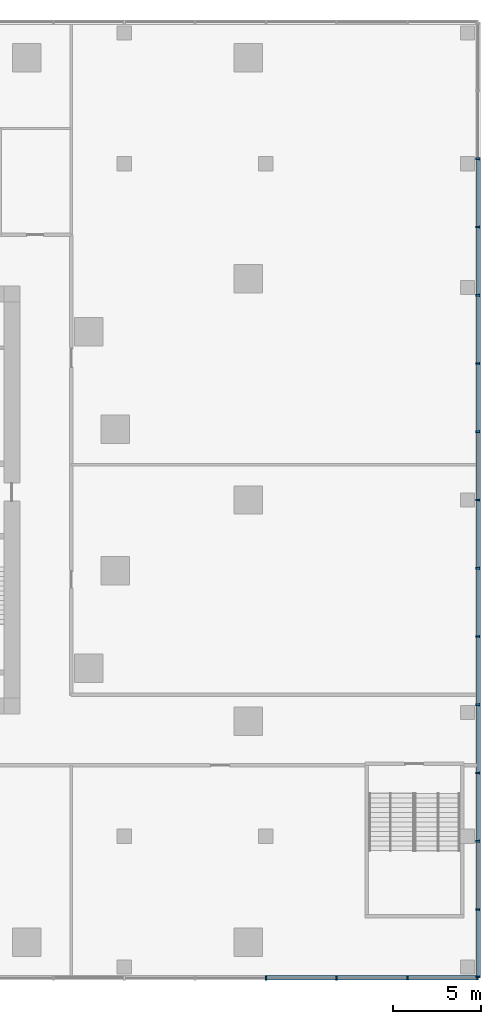
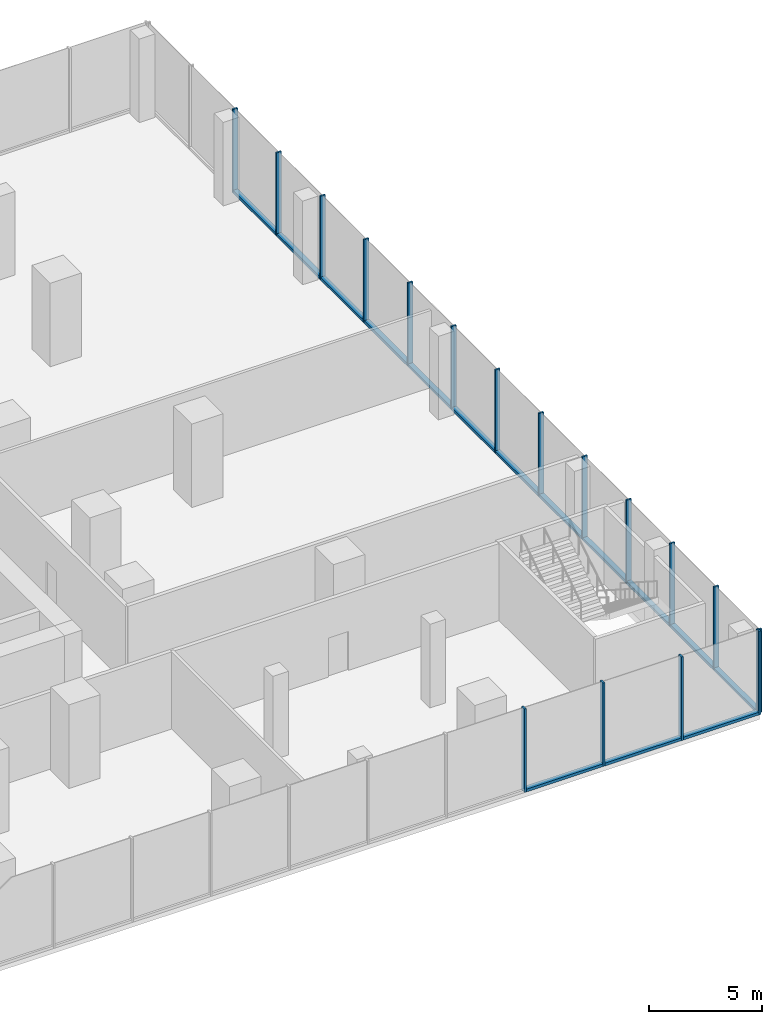
# One storey, part 6 of 15: 32 members, 2 elements without a shape of their own.
"""IFC4 building model written with IfcOpenShell, lengths in metres."""

from ifc_helpers import new_model, si_unit, direction, frame, origin, origin_2d, place, context, subcontext, project, spatial, rectangle, extrude, material, material_profile, profile_set, type_object, element, aggregate, save


model = new_model("IFC4")

# Units and contexts
model_context = context("Model", 3, precision=1e-05, world=origin(), true_north=direction((0.0, 1.0)))
body_context = subcontext(model_context, "Body", "Model", "MODEL_VIEW")
ifc_project = project(units=[si_unit("LENGTHUNIT", "METRE"), si_unit("AREAUNIT", "SQUARE_METRE"), si_unit("VOLUMEUNIT", "CUBIC_METRE"), si_unit("PLANEANGLEUNIT", "RADIAN"), si_unit("MASSUNIT", "GRAM", prefix="KILO")], contexts=[model_context])

# Site, building, storey
site_placement = place(None, origin())
site = spatial("IfcSite", under=ifc_project, at=site_placement, CompositionType="ELEMENT")
building_placement = place(site_placement, origin())
building = spatial("IfcBuilding", under=site, at=building_placement, Name="Torsade Residences", CompositionType="ELEMENT")
storey_placement = place(building_placement, frame((0.0, 0.0, 6.0)))
storey = spatial("IfcBuildingStorey", under=building, at=storey_placement, Name="L01", CompositionType="ELEMENT", Elevation=6.0)

# Curtain wall, members
ifc_material_1 = material(Name="Aluminium and glass", Category="aluminium")
curtain_wall_type = type_object("IfcCurtainWallType", Name="PODIUM CURTAIN WALL", PredefinedType="NOTDEFINED", material=ifc_material_1)
curtain_wall_1_placement = place(storey_placement, origin())
curtain_wall_1 = element("IfcCurtainWall", 1, at=curtain_wall_1_placement, inside=storey, type_object=curtain_wall_type, Name="Podium curtain wall L01 S", PredefinedType="NOTDEFINED")
ifc_material_2 = material(Name="Aluminium mullion", Category="aluminium")
ifc_material_profile_1 = material_profile(ifc_material_2, rectangle(XDim=0.25, YDim=0.090087890625, at=origin_2d()), Name="PODIUM CURTAIN WALL MULLION 250x90")
ifc_profile_set_1 = profile_set([ifc_material_profile_1], Name="Aluminium mullion")
member_type_1 = type_object("IfcMemberType", Name="PODIUM CURTAIN WALL MULLION 250x90", PredefinedType="MULLION", material=ifc_profile_set_1)
member_1_placement = place(storey_placement, frame((66.0, 3.0, 0.0), z_axis=(0.0, 0.0, 1.0), x_axis=(0.0, 1.0, 0.0)))
member_1 = element("IfcMember", 2, at=member_1_placement, type_object=member_type_1, Name="Mullion 17", PredefinedType="MULLION", context=body_context, shape_type="SweptSolid", body=[
    extrude(rectangle(XDim=0.25, YDim=0.090087890625, at=origin_2d()), origin(), (0.0, 0.0, 1.0), 4.5),
])
member_2_placement = place(storey_placement, frame((70.0, 3.0, 0.0), z_axis=(0.0, 0.0, 1.0), x_axis=(0.0, 1.0, 0.0)))
member_2 = element("IfcMember", 3, at=member_2_placement, type_object=member_type_1, Name="Mullion 18", PredefinedType="MULLION", context=body_context, shape_type="SweptSolid", body=[
    extrude(rectangle(XDim=0.25, YDim=0.090087890625, at=origin_2d()), origin(), (0.0, 0.0, 1.0), 4.5),
])
member_3_placement = place(storey_placement, frame((74.0, 3.0, 0.0), z_axis=(0.0, 0.0, 1.0), x_axis=(0.0, 1.0, 0.0)))
member_3 = element("IfcMember", 4, at=member_3_placement, type_object=member_type_1, Name="Mullion 19", PredefinedType="MULLION", context=body_context, shape_type="SweptSolid", body=[
    extrude(rectangle(XDim=0.25, YDim=0.090087890625, at=origin_2d()), origin(), (0.0, 0.0, 1.0), 4.5),
])
member_4_placement = place(storey_placement, frame((77.955078125, 3.0, 0.0), z_axis=(0.0, 0.0, 1.0), x_axis=(0.0, 1.0, 0.0)))
member_4 = element("IfcMember", 5, at=member_4_placement, type_object=member_type_1, Name="Mullion 20", PredefinedType="MULLION", context=body_context, shape_type="SweptSolid", body=[
    extrude(rectangle(XDim=0.25, YDim=0.090087890625, at=origin_2d()), origin(), (0.0, 0.0, 1.0), 4.5),
])

curtain_wall_2_placement = place(storey_placement, origin())
curtain_wall_2 = element("IfcCurtainWall", 6, at=curtain_wall_2_placement, inside=storey, type_object=curtain_wall_type, Name="Podium curtain wall L01 E", PredefinedType="NOTDEFINED")
member_5_placement = place(storey_placement, frame((78.0, 3.044921875, 0.0), z_axis=(0.0, 0.0, 1.0), x_axis=(-1.0, 0.0, 0.0)))
member_5 = element("IfcMember", 7, at=member_5_placement, type_object=member_type_1, Name="Mullion 1", PredefinedType="MULLION", context=body_context, shape_type="SweptSolid", body=[
    extrude(rectangle(XDim=0.25, YDim=0.090087890625, at=origin_2d()), origin(), (0.0, 0.0, 1.0), 4.5),
])
member_6_placement = place(storey_placement, frame((78.0, 6.857177734375, 0.0), z_axis=(0.0, 0.0, 1.0), x_axis=(-1.0, 0.0, 0.0)))
member_6 = element("IfcMember", 8, at=member_6_placement, type_object=member_type_1, Name="Mullion 2", PredefinedType="MULLION", context=body_context, shape_type="SweptSolid", body=[
    extrude(rectangle(XDim=0.25, YDim=0.090087890625, at=origin_2d()), origin(), (0.0, 0.0, 1.0), 4.5),
])
member_7_placement = place(storey_placement, frame((78.0, 10.71435546875, 0.0), z_axis=(0.0, 0.0, 1.0), x_axis=(-1.0, 0.0, 0.0)))
member_7 = element("IfcMember", 9, at=member_7_placement, type_object=member_type_1, Name="Mullion 3", PredefinedType="MULLION", context=body_context, shape_type="SweptSolid", body=[
    extrude(rectangle(XDim=0.25, YDim=0.090087890625, at=origin_2d()), origin(), (0.0, 0.0, 1.0), 4.5),
])
member_8_placement = place(storey_placement, frame((78.0, 14.571533203125, 0.0), z_axis=(0.0, 0.0, 1.0), x_axis=(-1.0, 0.0, 0.0)))
member_8 = element("IfcMember", 10, at=member_8_placement, type_object=member_type_1, Name="Mullion 4", PredefinedType="MULLION", context=body_context, shape_type="SweptSolid", body=[
    extrude(rectangle(XDim=0.25, YDim=0.090087890625, at=origin_2d()), origin(), (0.0, 0.0, 1.0), 4.5),
])
member_9_placement = place(storey_placement, frame((78.0, 18.428466796875, 0.0), z_axis=(0.0, 0.0, 1.0), x_axis=(-1.0, 0.0, 0.0)))
member_9 = element("IfcMember", 11, at=member_9_placement, type_object=member_type_1, Name="Mullion 5", PredefinedType="MULLION", context=body_context, shape_type="SweptSolid", body=[
    extrude(rectangle(XDim=0.25, YDim=0.090087890625, at=origin_2d()), origin(), (0.0, 0.0, 1.0), 4.5),
])
member_10_placement = place(storey_placement, frame((78.0, 22.28564453125, 0.0), z_axis=(0.0, 0.0, 1.0), x_axis=(-1.0, 0.0, 0.0)))
member_10 = element("IfcMember", 12, at=member_10_placement, type_object=member_type_1, Name="Mullion 6", PredefinedType="MULLION", context=body_context, shape_type="SweptSolid", body=[
    extrude(rectangle(XDim=0.25, YDim=0.090087890625, at=origin_2d()), origin(), (0.0, 0.0, 1.0), 4.5),
])
member_11_placement = place(storey_placement, frame((78.0, 26.142822265625, 0.0), z_axis=(0.0, 0.0, 1.0), x_axis=(-1.0, 0.0, 0.0)))
member_11 = element("IfcMember", 13, at=member_11_placement, type_object=member_type_1, Name="Mullion 7", PredefinedType="MULLION", context=body_context, shape_type="SweptSolid", body=[
    extrude(rectangle(XDim=0.25, YDim=0.090087890625, at=origin_2d()), origin(), (0.0, 0.0, 1.0), 4.5),
])
member_12_placement = place(storey_placement, frame((78.0, 30.0, 0.0), z_axis=(0.0, 0.0, 1.0), x_axis=(-1.0, 0.0, 0.0)))
member_12 = element("IfcMember", 14, at=member_12_placement, type_object=member_type_1, Name="Mullion 8", PredefinedType="MULLION", context=body_context, shape_type="SweptSolid", body=[
    extrude(rectangle(XDim=0.25, YDim=0.090087890625, at=origin_2d()), origin(), (0.0, 0.0, 1.0), 4.5),
])
member_13_placement = place(storey_placement, frame((78.0, 33.857177734375, 0.0), z_axis=(0.0, 0.0, 1.0), x_axis=(-1.0, 0.0, 0.0)))
member_13 = element("IfcMember", 15, at=member_13_placement, type_object=member_type_1, Name="Mullion 9", PredefinedType="MULLION", context=body_context, shape_type="SweptSolid", body=[
    extrude(rectangle(XDim=0.25, YDim=0.090087890625, at=origin_2d()), origin(), (0.0, 0.0, 1.0), 4.5),
])
member_14_placement = place(storey_placement, frame((78.0, 37.71435546875, 0.0), z_axis=(0.0, 0.0, 1.0), x_axis=(-1.0, 0.0, 0.0)))
member_14 = element("IfcMember", 16, at=member_14_placement, type_object=member_type_1, Name="Mullion 10", PredefinedType="MULLION", context=body_context, shape_type="SweptSolid", body=[
    extrude(rectangle(XDim=0.25, YDim=0.090087890625, at=origin_2d()), origin(), (0.0, 0.0, 1.0), 4.5),
])
member_15_placement = place(storey_placement, frame((78.0, 41.571533203125, 0.0), z_axis=(0.0, 0.0, 1.0), x_axis=(-1.0, 0.0, 0.0)))
member_15 = element("IfcMember", 17, at=member_15_placement, type_object=member_type_1, Name="Mullion 11", PredefinedType="MULLION", context=body_context, shape_type="SweptSolid", body=[
    extrude(rectangle(XDim=0.25, YDim=0.090087890625, at=origin_2d()), origin(), (0.0, 0.0, 1.0), 4.5),
])
member_16_placement = place(storey_placement, frame((78.0, 45.428466796875, 0.0), z_axis=(0.0, 0.0, 1.0), x_axis=(-1.0, 0.0, 0.0)))
member_16 = element("IfcMember", 18, at=member_16_placement, type_object=member_type_1, Name="Mullion 12", PredefinedType="MULLION", context=body_context, shape_type="SweptSolid", body=[
    extrude(rectangle(XDim=0.25, YDim=0.090087890625, at=origin_2d()), origin(), (0.0, 0.0, 1.0), 4.5),
])
member_17_placement = place(storey_placement, frame((78.0, 49.28564453125, 0.0), z_axis=(0.0, 0.0, 1.0), x_axis=(-1.0, 0.0, 0.0)))
member_17 = element("IfcMember", 19, at=member_17_placement, type_object=member_type_1, Name="Mullion 13", PredefinedType="MULLION", context=body_context, shape_type="SweptSolid", body=[
    extrude(rectangle(XDim=0.25, YDim=0.090087890625, at=origin_2d()), origin(), (0.0, 0.0, 1.0), 4.5),
])

# Member
ifc_material_3 = material(Name="Aluminium transom", Category="aluminium")
ifc_material_profile_2 = material_profile(ifc_material_3, rectangle(XDim=0.25, YDim=0.14990234375, at=origin_2d()), Name="PODIUM CURTAIN WALL TRANSOM 250x150")
ifc_profile_set_2 = profile_set([ifc_material_profile_2], Name="Aluminium transom")
member_type_2 = type_object("IfcMemberType", Name="PODIUM CURTAIN WALL TRANSOM 250x150", PredefinedType="USERDEFINED", material=ifc_profile_set_2)
member_18_placement = place(storey_placement, frame((66.044921875, 3.0, 0.074951171875), z_axis=(1.0, 0.0, 0.0), x_axis=(0.0, 1.0, 0.0)))
member_18 = element("IfcMember", 20, at=member_18_placement, type_object=member_type_2, Name="Transom 17.1", ObjectType="TRANSOM", PredefinedType="USERDEFINED", context=body_context, shape_type="SweptSolid", body=[
    extrude(rectangle(XDim=0.25, YDim=0.14990234375, at=origin_2d()), origin(), (0.0, 0.0, 1.0), 3.91015625),
])

member_19_placement = place(storey_placement, frame((70.044921875, 3.0, 0.074951171875), z_axis=(1.0, 0.0, 0.0), x_axis=(0.0, 1.0, 0.0)))
member_19 = element("IfcMember", 21, at=member_19_placement, type_object=member_type_2, Name="Transom 18.1", ObjectType="TRANSOM", PredefinedType="USERDEFINED", context=body_context, shape_type="SweptSolid", body=[
    extrude(rectangle(XDim=0.25, YDim=0.14990234375, at=origin_2d()), origin(), (0.0, 0.0, 1.0), 3.91015625),
])

member_20_placement = place(storey_placement, frame((74.044921875, 3.0, 0.074951171875), z_axis=(1.0, 0.0, 0.0), x_axis=(0.0, 1.0, 0.0)))
member_20 = element("IfcMember", 22, at=member_20_placement, type_object=member_type_2, Name="Transom 19.1", ObjectType="TRANSOM", PredefinedType="USERDEFINED", context=body_context, shape_type="SweptSolid", body=[
    extrude(rectangle(XDim=0.25, YDim=0.14990234375, at=origin_2d()), origin(), (0.0, 0.0, 1.0), 3.864990234375),
])

aggregate(curtain_wall_1, [member_1, member_2, member_3, member_4, member_18, member_19, member_20])

member_21_placement = place(storey_placement, frame((78.0, 3.090087890625, 0.074951171875), z_axis=(0.0, 1.0, 0.0), x_axis=(-1.0, 0.0, 0.0)))
member_21 = element("IfcMember", 23, at=member_21_placement, type_object=member_type_2, Name="Transom 1.1", ObjectType="TRANSOM", PredefinedType="USERDEFINED", context=body_context, shape_type="SweptSolid", body=[
    extrude(rectangle(XDim=0.25, YDim=0.14990234375, at=origin_2d()), origin(), (0.0, 0.0, 1.0), 3.72216796875),
])

member_22_placement = place(storey_placement, frame((78.0, 6.902099609375, 0.074951171875), z_axis=(0.0, 1.0, 0.0), x_axis=(-1.0, 0.0, 0.0)))
member_22 = element("IfcMember", 24, at=member_22_placement, type_object=member_type_2, Name="Transom 2.1", ObjectType="TRANSOM", PredefinedType="USERDEFINED", context=body_context, shape_type="SweptSolid", body=[
    extrude(rectangle(XDim=0.25, YDim=0.14990234375, at=origin_2d()), origin(), (0.0, 0.0, 1.0), 3.76708984375),
])

member_23_placement = place(storey_placement, frame((78.0, 10.75927734375, 0.074951171875), z_axis=(0.0, 1.0, 0.0), x_axis=(-1.0, 0.0, 0.0)))
member_23 = element("IfcMember", 25, at=member_23_placement, type_object=member_type_2, Name="Transom 3.1", ObjectType="TRANSOM", PredefinedType="USERDEFINED", context=body_context, shape_type="SweptSolid", body=[
    extrude(rectangle(XDim=0.25, YDim=0.14990234375, at=origin_2d()), origin(), (0.0, 0.0, 1.0), 3.76708984375),
])

member_24_placement = place(storey_placement, frame((78.0, 14.616455078125, 0.074951171875), z_axis=(0.0, 1.0, 0.0), x_axis=(-1.0, 0.0, 0.0)))
member_24 = element("IfcMember", 26, at=member_24_placement, type_object=member_type_2, Name="Transom 4.1", ObjectType="TRANSOM", PredefinedType="USERDEFINED", context=body_context, shape_type="SweptSolid", body=[
    extrude(rectangle(XDim=0.25, YDim=0.14990234375, at=origin_2d()), origin(), (0.0, 0.0, 1.0), 3.76708984375),
])

member_25_placement = place(storey_placement, frame((78.0, 18.4736328125, 0.074951171875), z_axis=(0.0, 1.0, 0.0), x_axis=(-1.0, 0.0, 0.0)))
member_25 = element("IfcMember", 27, at=member_25_placement, type_object=member_type_2, Name="Transom 5.1", ObjectType="TRANSOM", PredefinedType="USERDEFINED", context=body_context, shape_type="SweptSolid", body=[
    extrude(rectangle(XDim=0.25, YDim=0.14990234375, at=origin_2d()), origin(), (0.0, 0.0, 1.0), 3.76708984375),
])

member_26_placement = place(storey_placement, frame((78.0, 22.330810546875, 0.074951171875), z_axis=(0.0, 1.0, 0.0), x_axis=(-1.0, 0.0, 0.0)))
member_26 = element("IfcMember", 28, at=member_26_placement, type_object=member_type_2, Name="Transom 6.1", ObjectType="TRANSOM", PredefinedType="USERDEFINED", context=body_context, shape_type="SweptSolid", body=[
    extrude(rectangle(XDim=0.25, YDim=0.14990234375, at=origin_2d()), origin(), (0.0, 0.0, 1.0), 3.76708984375),
])

member_27_placement = place(storey_placement, frame((78.0, 26.187744140625, 0.074951171875), z_axis=(0.0, 1.0, 0.0), x_axis=(-1.0, 0.0, 0.0)))
member_27 = element("IfcMember", 29, at=member_27_placement, type_object=member_type_2, Name="Transom 7.1", ObjectType="TRANSOM", PredefinedType="USERDEFINED", context=body_context, shape_type="SweptSolid", body=[
    extrude(rectangle(XDim=0.25, YDim=0.14990234375, at=origin_2d()), origin(), (0.0, 0.0, 1.0), 3.767333984375),
])

member_28_placement = place(storey_placement, frame((78.0, 30.044921875, 0.074951171875), z_axis=(0.0, 1.0, 0.0), x_axis=(-1.0, 0.0, 0.0)))
member_28 = element("IfcMember", 30, at=member_28_placement, type_object=member_type_2, Name="Transom 8.1", ObjectType="TRANSOM", PredefinedType="USERDEFINED", context=body_context, shape_type="SweptSolid", body=[
    extrude(rectangle(XDim=0.25, YDim=0.14990234375, at=origin_2d()), origin(), (0.0, 0.0, 1.0), 3.767333984375),
])

member_29_placement = place(storey_placement, frame((78.0, 33.902099609375, 0.074951171875), z_axis=(0.0, 1.0, 0.0), x_axis=(-1.0, 0.0, 0.0)))
member_29 = element("IfcMember", 31, at=member_29_placement, type_object=member_type_2, Name="Transom 9.1", ObjectType="TRANSOM", PredefinedType="USERDEFINED", context=body_context, shape_type="SweptSolid", body=[
    extrude(rectangle(XDim=0.25, YDim=0.14990234375, at=origin_2d()), origin(), (0.0, 0.0, 1.0), 3.76708984375),
])

member_30_placement = place(storey_placement, frame((78.0, 37.75927734375, 0.074951171875), z_axis=(0.0, 1.0, 0.0), x_axis=(-1.0, 0.0, 0.0)))
member_30 = element("IfcMember", 32, at=member_30_placement, type_object=member_type_2, Name="Transom 10.1", ObjectType="TRANSOM", PredefinedType="USERDEFINED", context=body_context, shape_type="SweptSolid", body=[
    extrude(rectangle(XDim=0.25, YDim=0.14990234375, at=origin_2d()), origin(), (0.0, 0.0, 1.0), 3.76708984375),
])

member_31_placement = place(storey_placement, frame((78.0, 41.616455078125, 0.074951171875), z_axis=(0.0, 1.0, 0.0), x_axis=(-1.0, 0.0, 0.0)))
member_31 = element("IfcMember", 33, at=member_31_placement, type_object=member_type_2, Name="Transom 11.1", ObjectType="TRANSOM", PredefinedType="USERDEFINED", context=body_context, shape_type="SweptSolid", body=[
    extrude(rectangle(XDim=0.25, YDim=0.14990234375, at=origin_2d()), origin(), (0.0, 0.0, 1.0), 3.76708984375),
])

member_32_placement = place(storey_placement, frame((78.0, 45.4736328125, 0.074951171875), z_axis=(0.0, 1.0, 0.0), x_axis=(-1.0, 0.0, 0.0)))
member_32 = element("IfcMember", 34, at=member_32_placement, type_object=member_type_2, Name="Transom 12.1", ObjectType="TRANSOM", PredefinedType="USERDEFINED", context=body_context, shape_type="SweptSolid", body=[
    extrude(rectangle(XDim=0.25, YDim=0.14990234375, at=origin_2d()), origin(), (0.0, 0.0, 1.0), 3.76708984375),
])

aggregate(curtain_wall_2, [member_5, member_6, member_7, member_8, member_9, member_10, member_11, member_12, member_13, member_14, member_15, member_16, member_17, member_21, member_22, member_23, member_24, member_25, member_26, member_27, member_28, member_29, member_30, member_31, member_32])

save(model, "model.ifc")
